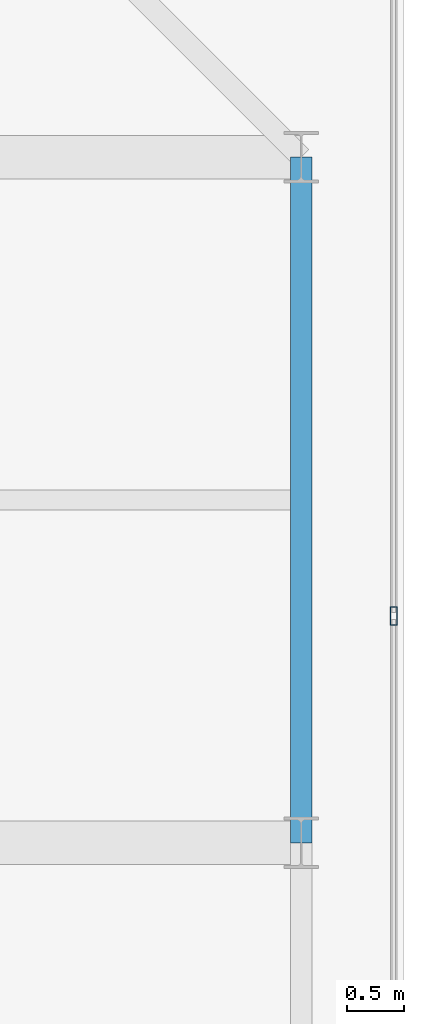
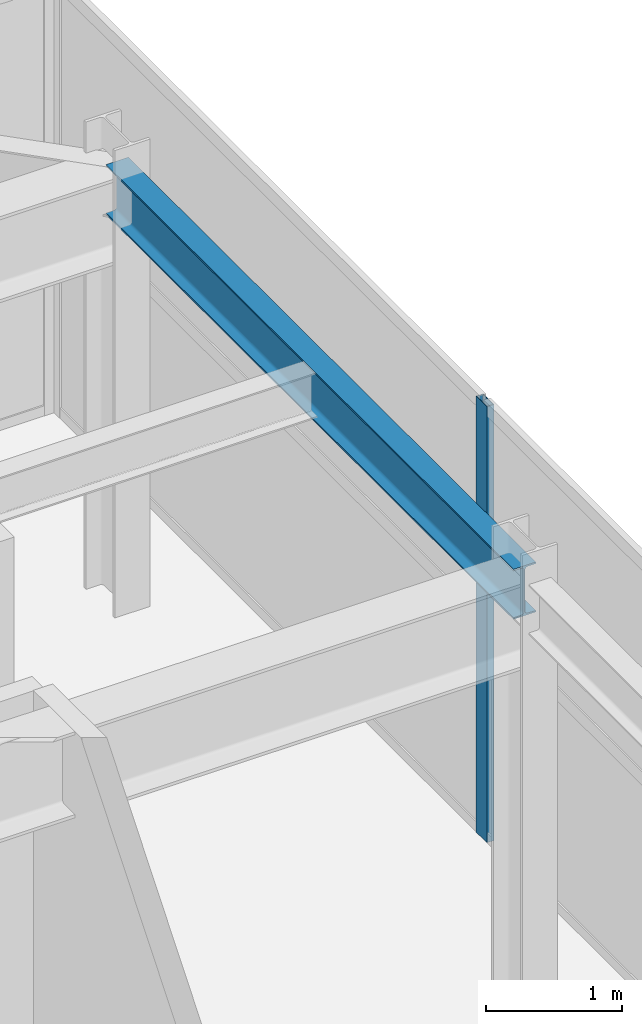
# One storey, part 19 of 32: 1 beam, 1 member, 1 element without a shape of its own.
"""IFC4 building model written with IfcOpenShell, lengths in metres."""

from ifc_helpers import new_model, si_unit, direction, frame, origin, origin_2d, place, context, subcontext, project, spatial, hollow_rectangle, i_section, extrude, source, transform, mapped, material, layer, layer_set, material_profile, profile_set, type_object, element, aggregate, save


model = new_model("IFC4")

# Units and contexts
model_context = context("Model", 3, precision=1e-05, world=origin(), true_north=direction((0.0, 1.0)))
body_context = subcontext(model_context, "Body", "Model", "MODEL_VIEW")
ifc_project = project(units=[si_unit("LENGTHUNIT", "METRE"), si_unit("AREAUNIT", "SQUARE_METRE"), si_unit("VOLUMEUNIT", "CUBIC_METRE"), si_unit("PLANEANGLEUNIT", "RADIAN"), si_unit("MASSUNIT", "GRAM", prefix="KILO")], contexts=[model_context])

# Site, building, storey
site_placement = place(None, origin())
site = spatial("IfcSite", under=ifc_project, at=site_placement, CompositionType="ELEMENT")
building_placement = place(site_placement, origin())
building = spatial("IfcBuilding", under=site, at=building_placement, Name="Khoralis Quay Care Tower", CompositionType="ELEMENT")
storey_placement = place(building_placement, frame((0.0, 0.0, 306.300048828125)))
storey = spatial("IfcBuildingStorey", under=building, at=storey_placement, Name="L80", CompositionType="ELEMENT", Elevation=306.300048828125)

# Beam
ifc_material_1 = material(Name="Steel S355", Category="steel")
ifc_material_profile_1 = material_profile(ifc_material_1, i_section(OverallWidth=0.18994140625, OverallDepth=0.449951171875, WebThickness=0.009521484375, FlangeThickness=0.0146484375, FilletRadius=0.02099609375, at=origin_2d()), Name="Steel S355")
ifc_profile_set_1 = profile_set([ifc_material_profile_1], Name="Steel S355")
beam_type = type_object("IfcBeamType", Name="BM-IPE450", PredefinedType="SPANDREL", material=ifc_profile_set_1)
shared_shape_1 = source(origin(), body_context, "Body", "SweptSolid", [
    extrude(i_section(OverallWidth=0.18994140625, OverallDepth=0.449951171875, WebThickness=0.009521484375, FlangeThickness=0.0146484375, FilletRadius=0.02099609375, at=origin_2d()), origin(), (0.0, 0.0, 1.0), 6.0),
])
beam_placement = place(storey_placement, frame((41.10009765625, 30.0, 3.695068359375), z_axis=(0.0, 1.0, 0.0), x_axis=(-1.0, 0.0, 0.0)))
element("IfcBeam", 1, at=beam_placement, inside=storey, type_object=beam_type, Name="BM-TSP-L80-16", PredefinedType="SPANDREL", context=body_context, shape_type="MappedRepresentation", body=[
    mapped(shared_shape_1, transform((0.0, 0.0, 0.0), scale=1.0)),
])

# Curtain wall, member
ifc_material_2 = material(Name="Pale anodised aluminium", Category="aluminium")
ifc_layer = layer(ifc_material_2, 0.199951171875)
ifc_layer_set = layer_set([ifc_layer], Name="Pale anodised aluminium")
curtain_wall_type = type_object("IfcCurtainWallType", Name="CW-SYS-LANTERN", PredefinedType="NOTDEFINED", material=ifc_layer_set)
curtain_wall_placement = place(storey_placement, origin())
curtain_wall = element("IfcCurtainWall", 2, at=curtain_wall_placement, inside=storey, type_object=curtain_wall_type, Name="L80 Unitised Curtain Wall CW-LN-L80-06", PredefinedType="NOTDEFINED")
ifc_material_profile_2 = material_profile(ifc_material_2, hollow_rectangle(XDim=0.06005859375, YDim=0.159912109375, WallThickness=0.00390625, at=origin_2d()), Name="Pale anodised aluminium")
ifc_profile_set_2 = profile_set([ifc_material_profile_2], Name="Pale anodised aluminium")
member_type = type_object("IfcMemberType", Name="CW-MUL-160", PredefinedType="MULLION", material=ifc_profile_set_2)
shared_shape_2 = source(origin(), body_context, "Body", "SweptSolid", [
    extrude(hollow_rectangle(XDim=0.06005859375, YDim=0.159912109375, WallThickness=0.00390625, at=origin_2d()), origin(), (0.0, 0.0, 1.0), 3.919921875),
])
member_placement = place(storey_placement, frame((41.909912109375, 31.986083984375, 0.0), z_axis=(0.0, 0.0, 1.0), x_axis=(-1.0, 0.0, 0.0)))
member = element("IfcMember", 3, at=member_placement, type_object=member_type, Name="CW5 mullion 5", PredefinedType="MULLION", context=body_context, shape_type="MappedRepresentation", body=[
    mapped(shared_shape_2, transform((0.0, 0.0, 0.0), scale=1.0)),
])
aggregate(curtain_wall, [member])

save(model, "model.ifc")
